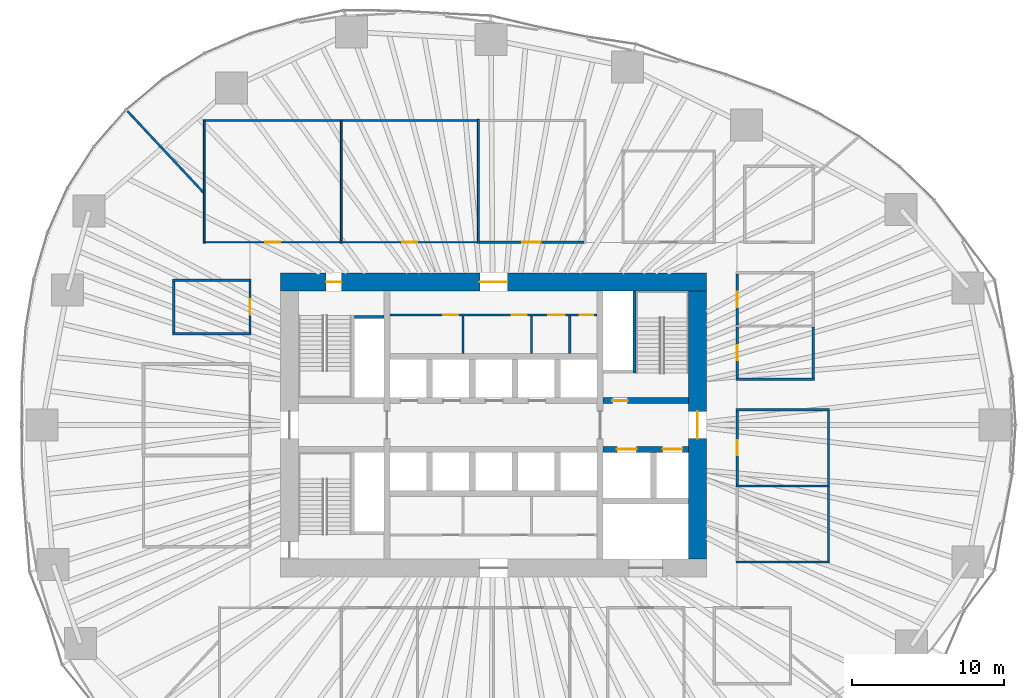
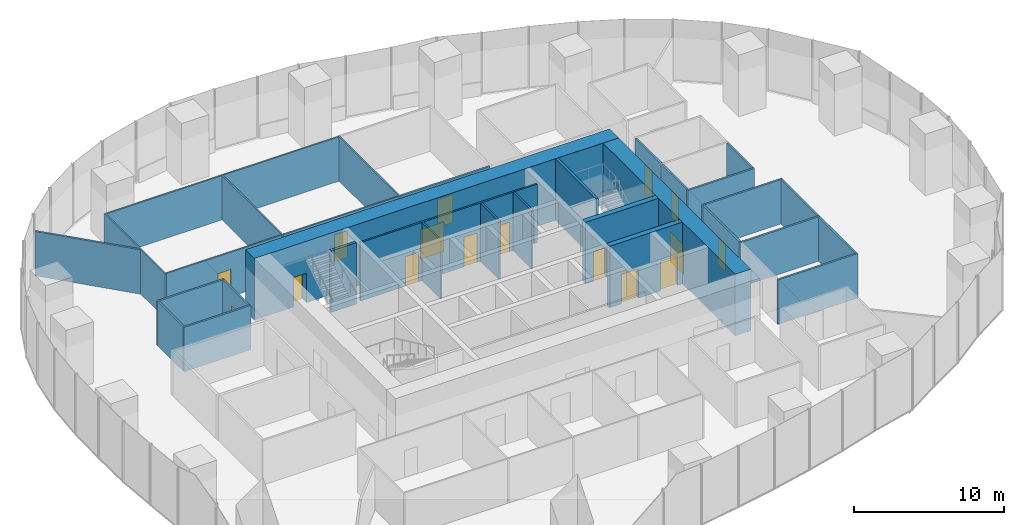
# One storey, part 11 of 20: 33 walls, 17 doors, 17 openings.
"""IFC4 building model written with IfcOpenShell, lengths in metres."""

import ifcopenshell
import ifcopenshell.guid

model = None  # the IFC model being written
_history = None  # IfcOwnerHistory: only IFC2X3 demands one
_inside = {}  # id of a spatial element -> (the spatial element, [elements in it])
_under = {}  # id of a project, library or spatial element -> (it, [spatial elements below it])
_declared = {}  # id of a project -> (the project, [libraries it declares])
_typed = {}  # id of a type object -> (the type object, [elements of that type])
_made_of = {}  # id of a material, layer set ... -> (it, [elements and type objects made of it])


def new_model(schema):
    """Start an empty IFC model of exactly this schema.

    Asked for "IFC4X3", IfcOpenShell would pick the latest addendum, in which some entities
    have other attributes; the version numbers below select the first issue.
    IFC2X3 requires an IfcOwnerHistory on every rooted entity: one is made here for all.
    """
    global model, _history
    if schema == "IFC4X3":
        model = ifcopenshell.file(schema_version=(4, 3, 0, 0))
    else:
        model = ifcopenshell.file(schema=schema)
    _inside.clear()
    _under.clear()
    _declared.clear()
    _typed.clear()
    _made_of.clear()
    _history = None
    if model.schema == "IFC2X3":
        org = make("IfcOrganization", Name="unknown")
        user = make(
            "IfcPersonAndOrganization",
            ThePerson=make("IfcPerson", FamilyName="unknown"),
            TheOrganization=org,
        )
        app = make(
            "IfcApplication",
            ApplicationDeveloper=org,
            Version="unknown",
            ApplicationFullName="unknown",
            ApplicationIdentifier="unknown",
        )
        _history = make(
            "IfcOwnerHistory",
            OwningUser=user,
            OwningApplication=app,
            ChangeAction="ADDED",
            CreationDate=0,
        )
    return model


def make(cls, **values):
    """One entity of the class cls with the attributes given. An attribute that is None is left unset."""
    return model.create_entity(
        cls, **{name: value for name, value in values.items() if value is not None}
    )


def rooted(cls, **values):
    """An entity with a GlobalId (a new one), such as an element, a storey or a relation."""
    return make(cls, GlobalId=ifcopenshell.guid.new(), OwnerHistory=_history, **values)


def si_unit(unit_type, name, prefix=None):
    """IfcSIUnit, for example si_unit("LENGTHUNIT", "METRE", prefix="MILLI")."""
    return make("IfcSIUnit", UnitType=unit_type, Prefix=prefix, Name=name)


def assignment(units):
    """IfcUnitAssignment: the units of a project."""
    return None if units is None else make("IfcUnitAssignment", Units=units)


def point(xyz):
    """IfcCartesianPoint."""
    return None if xyz is None else make("IfcCartesianPoint", Coordinates=xyz)


def direction(xyz):
    """IfcDirection."""
    return None if xyz is None else make("IfcDirection", DirectionRatios=xyz)


def frame(location, z_axis=None, x_axis=None):
    """IfcAxis2Placement3D, a coordinate frame: its origin and axes. An axis left out is left unset."""
    return make(
        "IfcAxis2Placement3D",
        Location=point(location),
        Axis=direction(z_axis),
        RefDirection=direction(x_axis),
    )


def frame_2d(location, x_axis=None):
    """IfcAxis2Placement2D, a coordinate frame in the plane: its origin and x axis."""
    return make(
        "IfcAxis2Placement2D", Location=point(location), RefDirection=direction(x_axis)
    )


def origin():
    """The frame at (0, 0, 0) with its axes left unset."""
    return frame((0.0, 0.0, 0.0))


def place(relative_to, where):
    """IfcLocalPlacement: puts the frame where relative to a parent placement (None: the world)."""
    return make(
        "IfcLocalPlacement", PlacementRelTo=relative_to, RelativePlacement=where
    )


def context(
    kind, dimensions, precision=None, world=None, true_north=None, identifier=None
):
    """IfcGeometricRepresentationContext, for example the 3D "Model" context."""
    return make(
        "IfcGeometricRepresentationContext",
        ContextIdentifier=identifier,
        ContextType=kind,
        CoordinateSpaceDimension=dimensions,
        Precision=precision,
        WorldCoordinateSystem=world,
        TrueNorth=true_north,
    )


def subcontext(parent, identifier, kind, view, scale=None):
    """IfcGeometricRepresentationSubContext, for example "Body" below "Model"."""
    return make(
        "IfcGeometricRepresentationSubContext",
        ContextIdentifier=identifier,
        ContextType=kind,
        ParentContext=parent,
        TargetScale=scale,
        TargetView=view,
    )


def project(units=None, contexts=None):
    """IfcProject with its units and contexts."""
    return rooted(
        "IfcProject",
        Name="project",
        RepresentationContexts=contexts,
        UnitsInContext=assignment(units),
    )


def spatial(cls, under=None, at=None, **own):
    """A site, building, storey or space (cls), placed at a placement, below another one or the project."""
    s = rooted(cls, ObjectPlacement=at, **own)
    if under is not None:
        _under.setdefault(under.id(), (under, []))[1].append(s)
    return s


def profile(cls, at=None, kind="AREA", **sizes):
    """A parametric profile (cls). Its sizes go by their IFC names, for example OverallWidth=200.0."""
    return make(cls, ProfileType=kind, Position=at, **sizes)


def rectangle(**sizes):
    """IfcRectangleProfileDef."""
    return profile("IfcRectangleProfileDef", **sizes)


def extrude(swept, where, along, depth):
    """IfcExtrudedAreaSolid: the profile swept, set in the frame where, extruded along a direction by depth."""
    return make(
        "IfcExtrudedAreaSolid",
        SweptArea=swept,
        Position=where,
        ExtrudedDirection=direction(along),
        Depth=depth,
    )


def shape(context_of_items, identifier, shape_type, items):
    """IfcShapeRepresentation: the items that make up one representation, for example the "Body"."""
    return make(
        "IfcShapeRepresentation",
        ContextOfItems=context_of_items,
        RepresentationIdentifier=identifier,
        RepresentationType=shape_type,
        Items=items,
    )


def material(Name=None, Category=None):
    """IfcMaterial."""
    return make("IfcMaterial", Name=Name, Category=Category)


def layer(
    of_material, thickness, ventilated=None, Name=None, Category=None, Priority=None
):
    """IfcMaterialLayer: one layer of a wall or slab, of a material (None: an air gap)."""
    return make(
        "IfcMaterialLayer",
        Material=of_material,
        LayerThickness=thickness,
        IsVentilated=ventilated,
        Name=Name,
        Category=Category,
        Priority=Priority,
    )


def layer_set(layers, Name=None):
    """IfcMaterialLayerSet."""
    return make("IfcMaterialLayerSet", MaterialLayers=layers, LayerSetName=Name)


def made_of(thing, what):
    """Note that an element or type object is made of a material, layer set ...; save() writes the relation."""
    if what is not None:
        _made_of.setdefault(what.id(), (what, []))[1].append(thing)
    return thing


def type_object(cls, material=None, **own):
    """A type object (cls), such as IfcWallType, which elements share."""
    return made_of(rooted(cls, **own), material)


def element(
    cls,
    number,
    at=None,
    inside=None,
    cuts=None,
    type_object=None,
    material=None,
    context=None,
    identifier="Body",
    shape_type=None,
    held_by="IfcProductDefinitionShape",
    body=None,
    shapes=None,
    **own,
):
    """One element of the class cls, such as IfcWall. Its Tag is "e" and its number.

    at: its placement. inside: the storey or other place that contains it. cuts: it is an
    opening in that element (IfcRelVoidsElement). A single representation is given by context,
    identifier, shape_type and body (its items); several are given by shapes. held_by: the class
    of the entity that holds the representations. save() writes the other relations.
    """
    e = rooted(cls, Tag="e%d" % number, ObjectPlacement=at, **own)
    if body is not None:
        shapes = [shape(context, identifier, shape_type, body)]
    if shapes is not None:
        e.Representation = make(held_by, Representations=shapes)
    if inside is not None:
        _inside.setdefault(inside.id(), (inside, []))[1].append(e)
    if cuts is not None:
        rooted(
            "IfcRelVoidsElement", RelatingBuildingElement=cuts, RelatedOpeningElement=e
        )
    if type_object is not None:
        _typed.setdefault(type_object.id(), (type_object, []))[1].append(e)
    return made_of(e, material)


def fill(opening, filler):
    """IfcRelFillsElement: the door or window that sits in an opening."""
    return rooted(
        "IfcRelFillsElement",
        RelatingOpeningElement=opening,
        RelatedBuildingElement=filler,
    )


def aggregate(whole, parts):
    """IfcRelAggregates: a whole, such as a stair, and the parts it consists of."""
    return rooted("IfcRelAggregates", RelatingObject=whole, RelatedObjects=parts)


def save(model, path):
    """Write the relations noted so far, then the file.

    IfcRelAggregates (storeys below a building ...), IfcRelContainedInSpatialStructure (elements
    in a storey), IfcRelDefinesByType, IfcRelAssociatesMaterial and IfcRelDeclares: one each for
    every whole, place, type object, material and project.
    """
    for whole, parts in _under.values():
        aggregate(whole, parts)
    for where, things in _inside.values():
        rooted(
            "IfcRelContainedInSpatialStructure",
            RelatedElements=things,
            RelatingStructure=where,
        )
    for kind, things in _typed.values():
        rooted("IfcRelDefinesByType", RelatedObjects=things, RelatingType=kind)
    for what, things in _made_of.values():
        rooted("IfcRelAssociatesMaterial", RelatedObjects=things, RelatingMaterial=what)
    for by, libraries in _declared.values():
        rooted("IfcRelDeclares", RelatingContext=by, RelatedDefinitions=libraries)
    model.write(path)


model = new_model("IFC4")

# Units and contexts
model_context = context("Model", 3, precision=1e-05, world=origin(), true_north=direction((0.0, 1.0)))
body_context = subcontext(model_context, "Body", "Model", "MODEL_VIEW")
ifc_project = project(units=[si_unit("LENGTHUNIT", "METRE"), si_unit("AREAUNIT", "SQUARE_METRE"), si_unit("VOLUMEUNIT", "CUBIC_METRE"), si_unit("PLANEANGLEUNIT", "RADIAN"), si_unit("MASSUNIT", "GRAM", prefix="KILO")], contexts=[model_context])

# Site, building, storey
site_placement = place(None, origin())
site = spatial("IfcSite", under=ifc_project, at=site_placement, CompositionType="ELEMENT")
building_placement = place(site_placement, origin())
building = spatial("IfcBuilding", under=site, at=building_placement, Name="Ghaith Harvest Tower", CompositionType="ELEMENT")
storey_placement = place(building_placement, frame((0.0, 0.0, 20.0)))
storey = spatial("IfcBuildingStorey", under=building, at=storey_placement, Name="L04", CompositionType="ELEMENT", Elevation=20.0)

# Wall, openings, doors
ifc_material_1 = material(Name="Concrete blockwork, fair-faced", Category="masonry")
ifc_layer_1 = layer(ifc_material_1, 0.139892578125)
ifc_layer_set_1 = layer_set([ifc_layer_1], Name="CORE PARTITION 140")
wall_type_1 = type_object("IfcWallType", Name="CORE PARTITION 140", PredefinedType="PARTITIONING", material=ifc_layer_set_1)
wall_1_placement = place(storey_placement, frame((-6.800048828125, 7.22998046875, 0.0), z_axis=(0.0, 0.0, 1.0), x_axis=(1.0, 0.0, 0.0)))
wall_1 = element("IfcWall", 1, at=wall_1_placement, inside=storey, type_object=wall_type_1, Name="Core partition L04", PredefinedType="PARTITIONING", context=body_context, shape_type="SweptSolid", body=[
    extrude(rectangle(XDim=13.60009765625, YDim=0.139892578125, at=frame_2d((6.800048828125, 0.0))), origin(), (0.0, 0.0, 1.0), 4.75),
])
opening_1_placement = place(wall_1_placement, frame((3.47998046875, 0.0, 0.0)))
opening_1 = element("IfcOpeningElement", 2, at=opening_1_placement, cuts=wall_1, Name="Opening 04-008", PredefinedType="OPENING", context=body_context, shape_type="SweptSolid", body=[
    extrude(rectangle(XDim=1.0, YDim=2.39990234375, at=frame_2d((0.5, 1.199951171875))), frame((0.0, 0.080078125, 0.0), z_axis=(0.0, -1.0, 0.0), x_axis=(1.0, 0.0, 0.0)), (0.0, 0.0, 1.0), 0.159912109375),
])
opening_2_placement = place(wall_1_placement, frame((7.97998046875, 0.0, 0.0)))
opening_2 = element("IfcOpeningElement", 3, at=opening_2_placement, cuts=wall_1, Name="Opening 04-009", PredefinedType="OPENING", context=body_context, shape_type="SweptSolid", body=[
    extrude(rectangle(XDim=1.0, YDim=2.39990234375, at=frame_2d((0.5, 1.199951171875))), frame((0.0, 0.080078125, 0.0), z_axis=(0.0, -1.0, 0.0), x_axis=(1.0, 0.0, 0.0)), (0.0, 0.0, 1.0), 0.159912109375),
])
opening_3_placement = place(wall_1_placement, frame((10.3798828125, 0.0, 0.0)))
opening_3 = element("IfcOpeningElement", 4, at=opening_3_placement, cuts=wall_1, Name="Opening 04-010", PredefinedType="OPENING", context=body_context, shape_type="SweptSolid", body=[
    extrude(rectangle(XDim=1.10009765625, YDim=2.39990234375, at=frame_2d((0.550048828125, 1.199951171875))), frame((0.0, 0.080078125, 0.0), z_axis=(0.0, -1.0, 0.0), x_axis=(1.0, 0.0, 0.0)), (0.0, 0.0, 1.0), 0.159912109375),
])
opening_4_placement = place(wall_1_placement, frame((12.449951171875, 0.0, 0.0)))
opening_4 = element("IfcOpeningElement", 5, at=opening_4_placement, cuts=wall_1, Name="Opening 04-011", PredefinedType="OPENING", context=body_context, shape_type="SweptSolid", body=[
    extrude(rectangle(XDim=0.89990234375, YDim=2.39990234375, at=frame_2d((0.449951171875, 1.199951171875))), frame((0.0, 0.080078125, 0.0), z_axis=(0.0, -1.0, 0.0), x_axis=(1.0, 0.0, 0.0)), (0.0, 0.0, 1.0), 0.159912109375),
])
ifc_material_2 = material(Name="Steel fire door", Category="steel")
door_type_1 = type_object("IfcDoorType", Name="D3 FD90 1000x2400", OperationType="SINGLE_SWING_LEFT", PredefinedType="DOOR", material=ifc_material_2)
door_1_placement = place(opening_1_placement, origin())
door_1 = element("IfcDoor", 6, at=door_1_placement, inside=storey, type_object=door_type_1, Name="Male WC door", OperationType="SINGLE_SWING_LEFT", OverallHeight=2.39990234375, OverallWidth=1.0, PredefinedType="DOOR", context=body_context, shape_type="SweptSolid", body=[
    extrude(rectangle(XDim=1.0, YDim=2.39990234375, at=frame_2d((0.5, 1.199951171875))), frame((0.0, 0.02490234375, 0.0), z_axis=(0.0, -1.0, 0.0), x_axis=(1.0, 0.0, 0.0)), (0.0, 0.0, 1.0), 0.050048828125),
])
fill(opening_1, door_1)
door_2_placement = place(opening_2_placement, origin())
door_2 = element("IfcDoor", 7, at=door_2_placement, inside=storey, type_object=door_type_1, Name="Female WC door", OperationType="SINGLE_SWING_RIGHT", OverallHeight=2.39990234375, OverallWidth=1.0, PredefinedType="DOOR", context=body_context, shape_type="SweptSolid", body=[
    extrude(rectangle(XDim=1.0, YDim=2.39990234375, at=frame_2d((0.5, 1.199951171875))), frame((0.0, 0.02490234375, 0.0), z_axis=(0.0, -1.0, 0.0), x_axis=(1.0, 0.0, 0.0)), (0.0, 0.0, 1.0), 0.050048828125),
])
fill(opening_2, door_2)
ifc_material_3 = material(Name="Steel fire door", Category="steel")
door_type_2 = type_object("IfcDoorType", Name="D5 FD90 900x2400", OperationType="SINGLE_SWING_LEFT", PredefinedType="DOOR", material=ifc_material_3)
door_3_placement = place(opening_4_placement, origin())
door_3 = element("IfcDoor", 8, at=door_3_placement, inside=storey, type_object=door_type_2, Name="Cleaner's store door", OperationType="SINGLE_SWING_RIGHT", OverallHeight=2.39990234375, OverallWidth=0.89990234375, PredefinedType="DOOR", context=body_context, shape_type="SweptSolid", body=[
    extrude(rectangle(XDim=0.89990234375, YDim=2.39990234375, at=frame_2d((0.449951171875, 1.199951171875))), frame((0.0, 0.02490234375, 0.0), z_axis=(0.0, -1.0, 0.0), x_axis=(1.0, 0.0, 0.0)), (0.0, 0.0, 1.0), 0.050048828125),
])
fill(opening_4, door_3)
ifc_material_4 = material(Name="Steel fire door", Category="steel")
door_type_3 = type_object("IfcDoorType", Name="D9 FD90 1100x2400", OperationType="SINGLE_SWING_LEFT", PredefinedType="DOOR", material=ifc_material_4)
door_4_placement = place(opening_3_placement, origin())
door_4 = element("IfcDoor", 9, at=door_4_placement, inside=storey, type_object=door_type_3, Name="Accessible WC door", OperationType="SINGLE_SWING_RIGHT", OverallHeight=2.39990234375, OverallWidth=1.10009765625, PredefinedType="DOOR", context=body_context, shape_type="SweptSolid", body=[
    extrude(rectangle(XDim=1.10009765625, YDim=2.39990234375, at=frame_2d((0.550048828125, 1.199951171875))), frame((0.0, 0.02490234375, 0.0), z_axis=(0.0, -1.0, 0.0), x_axis=(1.0, 0.0, 0.0)), (0.0, 0.0, 1.0), 0.050048828125),
])
fill(opening_3, door_4)

# Walls
for number, where, z_axis, x_axis, name in (
    (10, (-2.0, 4.699951171875, 0.0), (0.0, 0.0, 1.0), (0.0, 1.0, 0.0), "Core partition L04"),
    (11, (2.5, 4.699951171875, 0.0), (0.0, 0.0, 1.0), (0.0, 1.0, 0.0), "Core partition L04"),
    (12, (5.0, 4.699951171875, 0.0), (0.0, 0.0, 1.0), (0.0, 1.0, 0.0), "Core partition L04"),
):
    element("IfcWall", number, at=place(storey_placement, frame(where, z_axis=z_axis, x_axis=x_axis)), inside=storey, type_object=wall_type_1, Name=name, PredefinedType="PARTITIONING", context=body_context, shape_type="SweptSolid", body=[
        extrude(rectangle(XDim=2.4599609375, YDim=0.139892578125, at=frame_2d((1.22998046875, 0.0))), origin(), (0.0, 0.0, 1.0), 4.75),
    ])

# Wall, openings, doors
ifc_material_5 = material(Name="Concrete C70/85", Category="concrete")
ifc_layer_2 = layer(ifc_material_5, 1.199951171875)
ifc_layer_set_2 = layer_set([ifc_layer_2], Name="CORE WALL CW1200")
wall_type_2 = type_object("IfcWallType", Name="CORE WALL CW1200", PredefinedType="SHEAR", material=ifc_layer_set_2)
wall_2_placement = place(storey_placement, frame((14.0, 9.39990234375, 0.0), z_axis=(0.0, 0.0, 1.0), x_axis=(-1.0, 0.0, 0.0)))
wall_2 = element("IfcWall", 13, at=wall_2_placement, inside=storey, type_object=wall_type_2, Name="Core wall N L04", PredefinedType="SHEAR", context=body_context, shape_type="SweptSolid", body=[
    extrude(rectangle(XDim=28.0, YDim=1.199951171875, at=frame_2d((14.0, 0.0))), origin(), (0.0, 0.0, 1.0), 5.0),
])
opening_5_placement = place(wall_2_placement, frame((24.0, 0.0, 0.0)))
opening_5 = element("IfcOpeningElement", 14, at=opening_5_placement, cuts=wall_2, Name="Opening 04-005", PredefinedType="OPENING", context=body_context, shape_type="SweptSolid", body=[
    extrude(rectangle(XDim=1.0, YDim=2.39990234375, at=frame_2d((0.5, 1.199951171875))), frame((0.0, 0.60986328125, 0.0), z_axis=(0.0, -1.0, 0.0), x_axis=(1.0, 0.0, 0.0)), (0.0, 0.0, 1.0), 1.219970703125),
])
opening_6_placement = place(wall_2_placement, frame((13.10009765625, 0.0, 0.0)))
opening_6 = element("IfcOpeningElement", 15, at=opening_6_placement, cuts=wall_2, Name="Opening 04-015", PredefinedType="OPENING", context=body_context, shape_type="SweptSolid", body=[
    extrude(rectangle(XDim=1.800048828125, YDim=2.39990234375, at=frame_2d((0.89990234375, 1.199951171875))), frame((0.0, 0.60986328125, 0.0), z_axis=(0.0, -1.0, 0.0), x_axis=(1.0, 0.0, 0.0)), (0.0, 0.0, 1.0), 1.219970703125),
])
door_5_placement = place(opening_5_placement, origin())
door_5 = element("IfcDoor", 16, at=door_5_placement, inside=storey, type_object=door_type_1, Name="Stair ST1 door", OperationType="SINGLE_SWING_RIGHT", OverallHeight=2.39990234375, OverallWidth=1.0, PredefinedType="DOOR", context=body_context, shape_type="SweptSolid", body=[
    extrude(rectangle(XDim=1.0, YDim=2.39990234375, at=frame_2d((0.5, 1.199951171875))), frame((0.0, 0.02490234375, 0.0), z_axis=(0.0, -1.0, 0.0), x_axis=(1.0, 0.0, 0.0)), (0.0, 0.0, 1.0), 0.050048828125),
])
fill(opening_5, door_5)
ifc_material_6 = material(Name="Steel fire door", Category="steel")
door_type_4 = type_object("IfcDoorType", Name="D4 FD90 PAIR 1800x2400", OperationType="DOUBLE_DOOR_SINGLE_SWING", PredefinedType="DOOR", material=ifc_material_6)
door_6_placement = place(opening_6_placement, origin())
door_6 = element("IfcDoor", 17, at=door_6_placement, inside=storey, type_object=door_type_4, Name="Core service corridor doors", OperationType="DOUBLE_DOOR_SINGLE_SWING", OverallHeight=2.39990234375, OverallWidth=1.800048828125, PredefinedType="DOOR", context=body_context, shape_type="SweptSolid", body=[
    extrude(rectangle(XDim=1.800048828125, YDim=2.39990234375, at=frame_2d((0.89990234375, 1.199951171875))), frame((0.0, 0.02490234375, 0.0), z_axis=(0.0, -1.0, 0.0), x_axis=(1.0, 0.0, 0.0)), (0.0, 0.0, 1.0), 0.050048828125),
])
fill(opening_6, door_6)

# Wall, opening, door
wall_3_placement = place(storey_placement, frame((13.39990234375, -8.800048828125, 0.0), z_axis=(0.0, 0.0, 1.0), x_axis=(0.0, 1.0, 0.0)))
wall_3 = element("IfcWall", 18, at=wall_3_placement, inside=storey, type_object=wall_type_2, Name="Core wall E L04", PredefinedType="SHEAR", context=body_context, shape_type="SweptSolid", body=[
    extrude(rectangle(XDim=17.60009765625, YDim=1.199951171875, at=frame_2d((8.800048828125, 0.0))), origin(), (0.0, 0.0, 1.0), 5.0),
])
opening_7_placement = place(wall_3_placement, frame((7.89990234375, 0.0, 0.0)))
opening_7 = element("IfcOpeningElement", 19, at=opening_7_placement, cuts=wall_3, Name="Opening 04-002", PredefinedType="OPENING", context=body_context, shape_type="SweptSolid", body=[
    extrude(rectangle(XDim=1.800048828125, YDim=2.39990234375, at=frame_2d((0.89990234375, 1.199951171875))), frame((0.0, 0.60986328125, 0.0), z_axis=(0.0, -1.0, 0.0), x_axis=(1.0, 0.0, 0.0)), (0.0, 0.0, 1.0), 1.219970703125),
])
door_7_placement = place(opening_7_placement, origin())
door_7 = element("IfcDoor", 20, at=door_7_placement, inside=storey, type_object=door_type_4, Name="Fire-fighting lobby doors", OperationType="DOUBLE_DOOR_SINGLE_SWING", OverallHeight=2.39990234375, OverallWidth=1.800048828125, PredefinedType="DOOR", context=body_context, shape_type="SweptSolid", body=[
    extrude(rectangle(XDim=1.800048828125, YDim=2.39990234375, at=frame_2d((0.89990234375, 1.199951171875))), frame((0.0, 0.02490234375, 0.0), z_axis=(0.0, -1.0, 0.0), x_axis=(1.0, 0.0, 0.0)), (0.0, 0.0, 1.0), 0.050048828125),
])
fill(opening_7, door_7)

# Walls
ifc_material_7 = material(Name="Insulated food-grade panel", Category="steel")
ifc_layer_3 = layer(ifc_material_7, 0.1201171875)
ifc_layer_set_3 = layer_set([ifc_layer_3], Name="INSULATED PANEL WALL 120")
wall_type_3 = type_object("IfcWallType", Name="INSULATED PANEL WALL 120", PredefinedType="PARTITIONING", material=ifc_layer_set_3)
for number, where, z_axis, x_axis, name in (
    (21, (-19.0, 11.93994140625, 0.0), (0.0, 0.0, 1.0), (0.0, 1.0, 0.0), "Partition L04 row N1 cross wall 1"),
    (22, (-10.0, 11.93994140625, 0.0), (0.0, 0.0, 1.0), (0.0, 1.0, 0.0), "Partition L04 row N1 cross wall 2"),
):
    element("IfcWall", number, at=place(storey_placement, frame(where, z_axis=z_axis, x_axis=x_axis)), inside=storey, type_object=wall_type_3, Name=name, PredefinedType="PARTITIONING", context=body_context, shape_type="SweptSolid", body=[
        extrude(rectangle(XDim=8.1201171875, YDim=0.1201171875, at=frame_2d((4.06005859375, 0.0))), origin(), (0.0, 0.0, 1.0), 3.60009765625),
    ])
wall_4_placement = place(storey_placement, frame((-1.0, 11.925048828125, 0.0), z_axis=(0.0, 0.0, 1.0), x_axis=(0.0, 1.0, 0.0)))
element("IfcWall", 23, at=wall_4_placement, inside=storey, type_object=wall_type_3, Name="Partition L04 row N1 cross wall 3", PredefinedType="PARTITIONING", context=body_context, shape_type="SweptSolid", body=[
    extrude(rectangle(XDim=8.14990234375, YDim=0.1201171875, at=frame_2d((4.074951171875, 0.0))), origin(), (0.0, 0.0, 1.0), 3.60009765625),
])

# Wall, opening, door
wall_5_placement = place(storey_placement, frame((-18.93994140625, 12.0, 0.0), z_axis=(0.0, 0.0, 1.0), x_axis=(1.0, 0.0, 0.0)))
wall_5 = element("IfcWall", 24, at=wall_5_placement, inside=storey, type_object=wall_type_3, Name="Partition L04-01", PredefinedType="PARTITIONING", context=body_context, shape_type="SweptSolid", body=[
    extrude(rectangle(XDim=8.8798828125, YDim=0.1201171875, at=frame_2d((4.43994140625, 0.0))), origin(), (0.0, 0.0, 1.0), 3.60009765625),
])
opening_8_placement = place(wall_5_placement, frame((3.93994140625, 0.0, 0.0)))
opening_8 = element("IfcOpeningElement", 25, at=opening_8_placement, cuts=wall_5, Name="Opening 04-024", PredefinedType="OPENING", context=body_context, shape_type="SweptSolid", body=[
    extrude(rectangle(XDim=1.0, YDim=2.199951171875, at=frame_2d((0.5, 1.10009765625))), frame((0.0, 0.070068359375, 0.0), z_axis=(0.0, -1.0, 0.0), x_axis=(1.0, 0.0, 0.0)), (0.0, 0.0, 1.0), 0.14013671875),
])
ifc_material_8 = material(Name="Timber door", Category="wood")
door_type_5 = type_object("IfcDoorType", Name="D1 SINGLE 1000x2200", OperationType="SINGLE_SWING_LEFT", PredefinedType="DOOR", material=ifc_material_8)
door_8_placement = place(opening_8_placement, origin())
door_8 = element("IfcDoor", 26, at=door_8_placement, inside=storey, type_object=door_type_5, Name="Propagation room door", OperationType="SINGLE_SWING_LEFT", OverallHeight=2.199951171875, OverallWidth=1.0, PredefinedType="DOOR", context=body_context, shape_type="SweptSolid", body=[
    extrude(rectangle(XDim=1.0, YDim=2.199951171875, at=frame_2d((0.5, 1.10009765625))), frame((0.0, 0.02490234375, 0.0), z_axis=(0.0, -1.0, 0.0), x_axis=(1.0, 0.0, 0.0)), (0.0, 0.0, 1.0), 0.050048828125),
])
fill(opening_8, door_8)

# Wall
wall_6_placement = place(storey_placement, frame((-18.93994140625, 20.0, 0.0), z_axis=(0.0, 0.0, 1.0), x_axis=(1.0, 0.0, 0.0)))
element("IfcWall", 27, at=wall_6_placement, inside=storey, type_object=wall_type_3, Name="Partition L04-01", PredefinedType="PARTITIONING", context=body_context, shape_type="SweptSolid", body=[
    extrude(rectangle(XDim=8.8798828125, YDim=0.1201171875, at=frame_2d((4.43994140625, 0.0))), origin(), (0.0, 0.0, 1.0), 3.60009765625),
])

# Wall, opening, door
wall_7_placement = place(storey_placement, frame((-9.93994140625, 12.0, 0.0), z_axis=(0.0, 0.0, 1.0), x_axis=(1.0, 0.0, 0.0)))
wall_7 = element("IfcWall", 28, at=wall_7_placement, inside=storey, type_object=wall_type_3, Name="Partition L04-02", PredefinedType="PARTITIONING", context=body_context, shape_type="SweptSolid", body=[
    extrude(rectangle(XDim=8.8798828125, YDim=0.1201171875, at=frame_2d((4.43994140625, 0.0))), origin(), (0.0, 0.0, 1.0), 3.60009765625),
])
opening_9_placement = place(wall_7_placement, frame((3.93994140625, 0.0, 0.0)))
opening_9 = element("IfcOpeningElement", 29, at=opening_9_placement, cuts=wall_7, Name="Opening 04-025", PredefinedType="OPENING", context=body_context, shape_type="SweptSolid", body=[
    extrude(rectangle(XDim=1.0, YDim=2.199951171875, at=frame_2d((0.5, 1.10009765625))), frame((0.0, 0.070068359375, 0.0), z_axis=(0.0, -1.0, 0.0), x_axis=(1.0, 0.0, 0.0)), (0.0, 0.0, 1.0), 0.14013671875),
])
door_9_placement = place(opening_9_placement, origin())
door_9 = element("IfcDoor", 30, at=door_9_placement, inside=storey, type_object=door_type_5, Name="Propagation room door", OperationType="SINGLE_SWING_LEFT", OverallHeight=2.199951171875, OverallWidth=1.0, PredefinedType="DOOR", context=body_context, shape_type="SweptSolid", body=[
    extrude(rectangle(XDim=1.0, YDim=2.199951171875, at=frame_2d((0.5, 1.10009765625))), frame((0.0, 0.02490234375, 0.0), z_axis=(0.0, -1.0, 0.0), x_axis=(1.0, 0.0, 0.0)), (0.0, 0.0, 1.0), 0.050048828125),
])
fill(opening_9, door_9)

# Wall
wall_8_placement = place(storey_placement, frame((-9.93994140625, 20.0, 0.0), z_axis=(0.0, 0.0, 1.0), x_axis=(1.0, 0.0, 0.0)))
element("IfcWall", 31, at=wall_8_placement, inside=storey, type_object=wall_type_3, Name="Partition L04-02", PredefinedType="PARTITIONING", context=body_context, shape_type="SweptSolid", body=[
    extrude(rectangle(XDim=8.8798828125, YDim=0.1201171875, at=frame_2d((4.43994140625, 0.0))), origin(), (0.0, 0.0, 1.0), 3.60009765625),
])

# Wall, opening, door
ifc_material_9 = material(Name="Gypsum board on steel studs", Category="steel")
ifc_layer_4 = layer(ifc_material_9, 0.14990234375)
ifc_layer_set_4 = layer_set([ifc_layer_4], Name="PARTITION 150")
wall_type_4 = type_object("IfcWallType", Name="PARTITION 150", PredefinedType="PARTITIONING", material=ifc_layer_set_4)
wall_9_placement = place(storey_placement, frame((-0.93994140625, 12.0, 0.0), z_axis=(0.0, 0.0, 1.0), x_axis=(1.0, 0.0, 0.0)))
wall_9 = element("IfcWall", 32, at=wall_9_placement, inside=storey, type_object=wall_type_4, Name="Partition L04-03", PredefinedType="PARTITIONING", context=body_context, shape_type="SweptSolid", body=[
    extrude(rectangle(XDim=6.864990234375, YDim=0.14990234375, at=frame_2d((3.4326171875, 0.0))), origin(), (0.0, 0.0, 1.0), 3.60009765625),
])
opening_10_placement = place(wall_9_placement, frame((2.83251953125, 0.0, 0.0)))
opening_10 = element("IfcOpeningElement", 33, at=opening_10_placement, cuts=wall_9, Name="Opening 04-026", PredefinedType="OPENING", context=body_context, shape_type="SweptSolid", body=[
    extrude(rectangle(XDim=1.199951171875, YDim=2.300048828125, at=frame_2d((0.60009765625, 1.14990234375))), frame((0.0, 0.0849609375, 0.0), z_axis=(0.0, -1.0, 0.0), x_axis=(1.0, 0.0, 0.0)), (0.0, 0.0, 1.0), 0.169921875),
])
ifc_material_10 = material(Name="Timber door with vision panel", Category="wood")
door_type_6 = type_object("IfcDoorType", Name="D15 LABORATORY 1200x2300", OperationType="SINGLE_SWING_LEFT", PredefinedType="DOOR", material=ifc_material_10)
door_10_placement = place(opening_10_placement, origin())
door_10 = element("IfcDoor", 34, at=door_10_placement, inside=storey, type_object=door_type_6, Name="Quality laboratory door", OperationType="SINGLE_SWING_LEFT", OverallHeight=2.300048828125, OverallWidth=1.199951171875, PredefinedType="DOOR", context=body_context, shape_type="SweptSolid", body=[
    extrude(rectangle(XDim=1.199951171875, YDim=2.300048828125, at=frame_2d((0.60009765625, 1.14990234375))), frame((0.0, 0.02490234375, 0.0), z_axis=(0.0, -1.0, 0.0), x_axis=(1.0, 0.0, 0.0)), (0.0, 0.0, 1.0), 0.050048828125),
])
fill(opening_10, door_10)

# Walls
for number, where, z_axis, x_axis, name in (
    (35, (15.925048828125, -9.0, 0.0), (0.0, 0.0, 1.0), (1.0, 0.0, 0.0), "Partition L04 row E5 cross wall 1"),
    (36, (15.925048828125, -4.0, 0.0), (0.0, 0.0, 1.0), (1.0, 0.0, 0.0), "Partition L04 row E5 cross wall 2"),
    (37, (15.925048828125, 1.0, 0.0), (0.0, 0.0, 1.0), (1.0, 0.0, 0.0), "Partition L04 row E5 cross wall 3"),
):
    element("IfcWall", number, at=place(storey_placement, frame(where, z_axis=z_axis, x_axis=x_axis)), inside=storey, type_object=wall_type_4, Name=name, PredefinedType="PARTITIONING", context=body_context, shape_type="SweptSolid", body=[
        extrude(rectangle(XDim=6.14990234375, YDim=0.14990234375, at=frame_2d((3.074951171875, 0.0))), origin(), (0.0, 0.0, 1.0), 3.60009765625),
    ])
wall_10_placement = place(storey_placement, frame((22.0, -8.925048828125, 0.0), z_axis=(0.0, 0.0, 1.0), x_axis=(0.0, 1.0, 0.0)))
element("IfcWall", 38, at=wall_10_placement, inside=storey, type_object=wall_type_4, Name="Partition L04-10", PredefinedType="PARTITIONING", context=body_context, shape_type="SweptSolid", body=[
    extrude(rectangle(XDim=4.85009765625, YDim=0.14990234375, at=frame_2d((2.425048828125, 0.0))), origin(), (0.0, 0.0, 1.0), 3.60009765625),
])

# Wall, opening, door
wall_11_placement = place(storey_placement, frame((16.0, -3.925048828125, 0.0), z_axis=(0.0, 0.0, 1.0), x_axis=(0.0, 1.0, 0.0)))
wall_11 = element("IfcWall", 39, at=wall_11_placement, inside=storey, type_object=wall_type_4, Name="Partition L04-11", PredefinedType="PARTITIONING", context=body_context, shape_type="SweptSolid", body=[
    extrude(rectangle(XDim=4.85009765625, YDim=0.14990234375, at=frame_2d((2.425048828125, 0.0))), origin(), (0.0, 0.0, 1.0), 3.60009765625),
])
opening_11_placement = place(wall_11_placement, frame((1.925048828125, 0.0, 0.0)))
opening_11 = element("IfcOpeningElement", 40, at=opening_11_placement, cuts=wall_11, Name="Opening 04-034", PredefinedType="OPENING", context=body_context, shape_type="SweptSolid", body=[
    extrude(rectangle(XDim=1.0, YDim=2.199951171875, at=frame_2d((0.5, 1.10009765625))), frame((0.0, 0.0849609375, 0.0), z_axis=(0.0, -1.0, 0.0), x_axis=(1.0, 0.0, 0.0)), (0.0, 0.0, 1.0), 0.169921875),
])
door_11_placement = place(opening_11_placement, origin())
door_11 = element("IfcDoor", 41, at=door_11_placement, inside=storey, type_object=door_type_5, Name="Female staff changing room door", OperationType="SINGLE_SWING_LEFT", OverallHeight=2.199951171875, OverallWidth=1.0, PredefinedType="DOOR", context=body_context, shape_type="SweptSolid", body=[
    extrude(rectangle(XDim=1.0, YDim=2.199951171875, at=frame_2d((0.5, 1.10009765625))), frame((0.0, 0.02490234375, 0.0), z_axis=(0.0, -1.0, 0.0), x_axis=(1.0, 0.0, 0.0)), (0.0, 0.0, 1.0), 0.050048828125),
])
fill(opening_11, door_11)

# Walls
wall_12_placement = place(storey_placement, frame((22.0, -3.925048828125, 0.0), z_axis=(0.0, 0.0, 1.0), x_axis=(0.0, 1.0, 0.0)))
element("IfcWall", 42, at=wall_12_placement, inside=storey, type_object=wall_type_4, Name="Partition L04-11", PredefinedType="PARTITIONING", context=body_context, shape_type="SweptSolid", body=[
    extrude(rectangle(XDim=4.85009765625, YDim=0.14990234375, at=frame_2d((2.425048828125, 0.0))), origin(), (0.0, 0.0, 1.0), 3.60009765625),
])
wall_13_placement = place(storey_placement, frame((15.925048828125, 3.0, 0.0), z_axis=(0.0, 0.0, 1.0), x_axis=(1.0, 0.0, 0.0)))
element("IfcWall", 43, at=wall_13_placement, inside=storey, type_object=wall_type_4, Name="Partition L04 row E9 cross wall 1", PredefinedType="PARTITIONING", context=body_context, shape_type="SweptSolid", body=[
    extrude(rectangle(XDim=5.14990234375, YDim=0.14990234375, at=frame_2d((2.574951171875, 0.0))), origin(), (0.0, 0.0, 1.0), 3.60009765625),
])

# Wall, opening, door
wall_14_placement = place(storey_placement, frame((16.0, 3.074951171875, 0.0), z_axis=(0.0, 0.0, 1.0), x_axis=(0.0, 1.0, 0.0)))
wall_14 = element("IfcWall", 44, at=wall_14_placement, inside=storey, type_object=wall_type_4, Name="Partition L04-16", PredefinedType="PARTITIONING", context=body_context, shape_type="SweptSolid", body=[
    extrude(rectangle(XDim=3.35009765625, YDim=0.14990234375, at=frame_2d((1.675048828125, 0.0))), origin(), (0.0, 0.0, 1.0), 3.60009765625),
])
opening_12_placement = place(wall_14_placement, frame((1.175048828125, 0.0, 0.0)))
opening_12 = element("IfcOpeningElement", 45, at=opening_12_placement, cuts=wall_14, Name="Opening 04-039", PredefinedType="OPENING", context=body_context, shape_type="SweptSolid", body=[
    extrude(rectangle(XDim=1.0, YDim=2.199951171875, at=frame_2d((0.5, 1.10009765625))), frame((0.0, 0.0849609375, 0.0), z_axis=(0.0, -1.0, 0.0), x_axis=(1.0, 0.0, 0.0)), (0.0, 0.0, 1.0), 0.169921875),
])
door_12_placement = place(opening_12_placement, origin())
door_12 = element("IfcDoor", 46, at=door_12_placement, inside=storey, type_object=door_type_5, Name="First aid room door", OperationType="SINGLE_SWING_LEFT", OverallHeight=2.199951171875, OverallWidth=1.0, PredefinedType="DOOR", context=body_context, shape_type="SweptSolid", body=[
    extrude(rectangle(XDim=1.0, YDim=2.199951171875, at=frame_2d((0.5, 1.10009765625))), frame((0.0, 0.02490234375, 0.0), z_axis=(0.0, -1.0, 0.0), x_axis=(1.0, 0.0, 0.0)), (0.0, 0.0, 1.0), 0.050048828125),
])
fill(opening_12, door_12)

# Wall
wall_15_placement = place(storey_placement, frame((21.0, 3.074951171875, 0.0), z_axis=(0.0, 0.0, 1.0), x_axis=(0.0, 1.0, 0.0)))
element("IfcWall", 47, at=wall_15_placement, inside=storey, type_object=wall_type_4, Name="Partition L04-16", PredefinedType="PARTITIONING", context=body_context, shape_type="SweptSolid", body=[
    extrude(rectangle(XDim=3.35009765625, YDim=0.14990234375, at=frame_2d((1.675048828125, 0.0))), origin(), (0.0, 0.0, 1.0), 3.60009765625),
])

# Wall, opening, door
wall_16_placement = place(storey_placement, frame((16.0, 6.574951171875, 0.0), z_axis=(0.0, 0.0, 1.0), x_axis=(0.0, 1.0, 0.0)))
wall_16 = element("IfcWall", 48, at=wall_16_placement, inside=storey, type_object=wall_type_4, Name="Partition L04-17", PredefinedType="PARTITIONING", context=body_context, shape_type="SweptSolid", body=[
    extrude(rectangle(XDim=3.35009765625, YDim=0.14990234375, at=frame_2d((1.675048828125, 0.0))), origin(), (0.0, 0.0, 1.0), 3.60009765625),
])
opening_13_placement = place(wall_16_placement, frame((1.175048828125, 0.0, 0.0)))
opening_13 = element("IfcOpeningElement", 49, at=opening_13_placement, cuts=wall_16, Name="Opening 04-040", PredefinedType="OPENING", context=body_context, shape_type="SweptSolid", body=[
    extrude(rectangle(XDim=1.0, YDim=2.199951171875, at=frame_2d((0.5, 1.10009765625))), frame((0.0, 0.0849609375, 0.0), z_axis=(0.0, -1.0, 0.0), x_axis=(1.0, 0.0, 0.0)), (0.0, 0.0, 1.0), 0.169921875),
])
door_13_placement = place(opening_13_placement, origin())
door_13 = element("IfcDoor", 50, at=door_13_placement, inside=storey, type_object=door_type_5, Name="Locker room door", OperationType="SINGLE_SWING_LEFT", OverallHeight=2.199951171875, OverallWidth=1.0, PredefinedType="DOOR", context=body_context, shape_type="SweptSolid", body=[
    extrude(rectangle(XDim=1.0, YDim=2.199951171875, at=frame_2d((0.5, 1.10009765625))), frame((0.0, 0.02490234375, 0.0), z_axis=(0.0, -1.0, 0.0), x_axis=(1.0, 0.0, 0.0)), (0.0, 0.0, 1.0), 0.050048828125),
])
fill(opening_13, door_13)

# Walls
for number, where, z_axis, x_axis, name in (
    (51, (-15.925048828125, 6.0, 0.0), (0.0, 0.0, 1.0), (-1.0, 0.0, 0.0), "Partition L04 row W10 cross wall 1"),
    (52, (-15.925048828125, 9.5, 0.0), (0.0, 0.0, 1.0), (-1.0, 0.0, 0.0), "Partition L04 row W10 cross wall 2"),
):
    element("IfcWall", number, at=place(storey_placement, frame(where, z_axis=z_axis, x_axis=x_axis)), inside=storey, type_object=wall_type_4, Name=name, PredefinedType="PARTITIONING", context=body_context, shape_type="SweptSolid", body=[
        extrude(rectangle(XDim=5.14990234375, YDim=0.14990234375, at=frame_2d((2.574951171875, 0.0))), origin(), (0.0, 0.0, 1.0), 3.60009765625),
    ])

# Wall, opening, door
wall_17_placement = place(storey_placement, frame((-16.0, 6.074951171875, 0.0), z_axis=(0.0, 0.0, 1.0), x_axis=(0.0, 1.0, 0.0)))
wall_17 = element("IfcWall", 53, at=wall_17_placement, inside=storey, type_object=wall_type_4, Name="Partition L04-18", PredefinedType="PARTITIONING", context=body_context, shape_type="SweptSolid", body=[
    extrude(rectangle(XDim=3.35009765625, YDim=0.14990234375, at=frame_2d((1.675048828125, 0.0))), origin(), (0.0, 0.0, 1.0), 3.60009765625),
])
opening_14_placement = place(wall_17_placement, frame((1.175048828125, 0.0, 0.0)))
opening_14 = element("IfcOpeningElement", 54, at=opening_14_placement, cuts=wall_17, Name="Opening 04-041", PredefinedType="OPENING", context=body_context, shape_type="SweptSolid", body=[
    extrude(rectangle(XDim=1.0, YDim=2.199951171875, at=frame_2d((0.5, 1.10009765625))), frame((0.0, 0.0849609375, 0.0), z_axis=(0.0, -1.0, 0.0), x_axis=(1.0, 0.0, 0.0)), (0.0, 0.0, 1.0), 0.169921875),
])
door_14_placement = place(opening_14_placement, origin())
door_14 = element("IfcDoor", 55, at=door_14_placement, inside=storey, type_object=door_type_5, Name="Seed drying room door", OperationType="SINGLE_SWING_LEFT", OverallHeight=2.199951171875, OverallWidth=1.0, PredefinedType="DOOR", context=body_context, shape_type="SweptSolid", body=[
    extrude(rectangle(XDim=1.0, YDim=2.199951171875, at=frame_2d((0.5, 1.10009765625))), frame((0.0, 0.02490234375, 0.0), z_axis=(0.0, -1.0, 0.0), x_axis=(1.0, 0.0, 0.0)), (0.0, 0.0, 1.0), 0.050048828125),
])
fill(opening_14, door_14)

# Walls
wall_18_placement = place(storey_placement, frame((-21.0, 6.074951171875, 0.0), z_axis=(0.0, 0.0, 1.0), x_axis=(0.0, 1.0, 0.0)))
element("IfcWall", 56, at=wall_18_placement, inside=storey, type_object=wall_type_4, Name="Partition L04-18", PredefinedType="PARTITIONING", context=body_context, shape_type="SweptSolid", body=[
    extrude(rectangle(XDim=3.35009765625, YDim=0.14990234375, at=frame_2d((1.675048828125, 0.0))), origin(), (0.0, 0.0, 1.0), 3.60009765625),
])
wall_19_placement = place(storey_placement, frame((-19.02001953125, 15.23388671875, 0.0), z_axis=(0.0, 0.0, 1.0), x_axis=(-0.682519491562, 0.730867391281, 0.0)))
element("IfcWall", 57, at=wall_19_placement, inside=storey, type_object=wall_type_4, Name="Partition L04 zone division", PredefinedType="PARTITIONING", context=body_context, shape_type="SweptSolid", body=[
    extrude(rectangle(XDim=7.34716796875, YDim=0.14990234375, at=frame_2d((3.673583984375, 0.0))), origin(), (0.0, 0.0, 1.0), 3.60009765625),
])

# Wall, opening, door
ifc_material_11 = material(Name="Concrete C70/85", Category="concrete")
ifc_layer_5 = layer(ifc_material_11, 0.39990234375)
ifc_layer_set_5 = layer_set([ifc_layer_5], Name="SHAFT WALL 400")
wall_type_5 = type_object("IfcWallType", Name="SHAFT WALL 400", PredefinedType="SHEAR", material=ifc_layer_set_5)
wall_20_placement = place(storey_placement, frame((7.199951171875, 1.60009765625, 0.0), z_axis=(0.0, 0.0, 1.0), x_axis=(1.0, 0.0, 0.0)))
wall_20 = element("IfcWall", 58, at=wall_20_placement, inside=storey, type_object=wall_type_5, Name="Shaft wall EN L04", PredefinedType="SHEAR", context=body_context, shape_type="SweptSolid", body=[
    extrude(rectangle(XDim=5.60009765625, YDim=0.39990234375, at=frame_2d((2.800048828125, 0.0))), origin(), (0.0, 0.0, 1.0), 5.0),
])
opening_15_placement = place(wall_20_placement, frame((0.60009765625, 0.0, 0.0)))
opening_15 = element("IfcOpeningElement", 59, at=opening_15_placement, cuts=wall_20, Name="Opening 04-007", PredefinedType="OPENING", context=body_context, shape_type="SweptSolid", body=[
    extrude(rectangle(XDim=1.0, YDim=2.39990234375, at=frame_2d((0.5, 1.199951171875))), frame((0.0, 0.2099609375, 0.0), z_axis=(0.0, -1.0, 0.0), x_axis=(1.0, 0.0, 0.0)), (0.0, 0.0, 1.0), 0.419921875),
])
door_15_placement = place(opening_15_placement, origin())
door_15 = element("IfcDoor", 60, at=door_15_placement, inside=storey, type_object=door_type_1, Name="Stair ST2 door", OperationType="SINGLE_SWING_LEFT", OverallHeight=2.39990234375, OverallWidth=1.0, PredefinedType="DOOR", context=body_context, shape_type="SweptSolid", body=[
    extrude(rectangle(XDim=1.0, YDim=2.39990234375, at=frame_2d((0.5, 1.199951171875))), frame((0.0, 0.02490234375, 0.0), z_axis=(0.0, -1.0, 0.0), x_axis=(1.0, 0.0, 0.0)), (0.0, 0.0, 1.0), 0.050048828125),
])
fill(opening_15, door_15)

# Wall, openings, doors
wall_21_placement = place(storey_placement, frame((7.199951171875, -1.60009765625, 0.0), z_axis=(0.0, 0.0, 1.0), x_axis=(1.0, 0.0, 0.0)))
wall_21 = element("IfcWall", 61, at=wall_21_placement, inside=storey, type_object=wall_type_5, Name="Shaft wall ES L04", PredefinedType="SHEAR", context=body_context, shape_type="SweptSolid", body=[
    extrude(rectangle(XDim=5.60009765625, YDim=0.39990234375, at=frame_2d((2.800048828125, 0.0))), origin(), (0.0, 0.0, 1.0), 5.0),
])
opening_16_placement = place(wall_21_placement, frame((0.89990234375, 0.0, 0.0)))
opening_16 = element("IfcOpeningElement", 62, at=opening_16_placement, cuts=wall_21, Name="Opening 04-021", PredefinedType="OPENING", context=body_context, shape_type="SweptSolid", body=[
    extrude(rectangle(XDim=1.300048828125, YDim=2.39990234375, at=frame_2d((0.64990234375, 1.199951171875))), frame((0.0, 0.2099609375, 0.0), z_axis=(0.0, -1.0, 0.0), x_axis=(1.0, 0.0, 0.0)), (0.0, 0.0, 1.0), 0.419921875),
])
opening_17_placement = place(wall_21_placement, frame((3.89990234375, 0.0, 0.0)))
opening_17 = element("IfcOpeningElement", 63, at=opening_17_placement, cuts=wall_21, Name="Opening 04-022", PredefinedType="OPENING", context=body_context, shape_type="SweptSolid", body=[
    extrude(rectangle(XDim=1.300048828125, YDim=2.39990234375, at=frame_2d((0.64990234375, 1.199951171875))), frame((0.0, 0.2099609375, 0.0), z_axis=(0.0, -1.0, 0.0), x_axis=(1.0, 0.0, 0.0)), (0.0, 0.0, 1.0), 0.419921875),
])
ifc_material_12 = material(Name="Steel fire door", Category="steel")
door_type_7 = type_object("IfcDoorType", Name="LD2 LANDING 1300x2400", OperationType="DOUBLE_DOOR_SLIDING", PredefinedType="DOOR", material=ifc_material_12)
door_16_placement = place(opening_16_placement, origin())
door_16 = element("IfcDoor", 64, at=door_16_placement, inside=storey, type_object=door_type_7, Name="Landing door, fire service lift FL1", OperationType="DOUBLE_DOOR_SLIDING", OverallHeight=2.39990234375, OverallWidth=1.300048828125, PredefinedType="DOOR", context=body_context, shape_type="SweptSolid", body=[
    extrude(rectangle(XDim=1.300048828125, YDim=2.39990234375, at=frame_2d((0.64990234375, 1.199951171875))), frame((0.0, 0.02490234375, 0.0), z_axis=(0.0, -1.0, 0.0), x_axis=(1.0, 0.0, 0.0)), (0.0, 0.0, 1.0), 0.050048828125),
])
fill(opening_16, door_16)
door_17_placement = place(opening_17_placement, origin())
door_17 = element("IfcDoor", 65, at=door_17_placement, inside=storey, type_object=door_type_7, Name="Landing door, fire service lift FL2", OperationType="DOUBLE_DOOR_SLIDING", OverallHeight=2.39990234375, OverallWidth=1.300048828125, PredefinedType="DOOR", context=body_context, shape_type="SweptSolid", body=[
    extrude(rectangle(XDim=1.300048828125, YDim=2.39990234375, at=frame_2d((0.64990234375, 1.199951171875))), frame((0.0, 0.02490234375, 0.0), z_axis=(0.0, -1.0, 0.0), x_axis=(1.0, 0.0, 0.0)), (0.0, 0.0, 1.0), 0.050048828125),
])
fill(opening_17, door_17)

# Walls
ifc_material_13 = material(Name="Concrete C40/50", Category="concrete")
ifc_layer_6 = layer(ifc_material_13, 0.199951171875)
ifc_layer_set_6 = layer_set([ifc_layer_6], Name="STAIR SPINE WALL RC200")
wall_type_6 = type_object("IfcWallType", Name="STAIR SPINE WALL RC200", PredefinedType="SOLIDWALL", material=ifc_layer_set_6)
wall_22_placement = place(storey_placement, frame((-9.14990234375, 7.10009765625, 0.0), z_axis=(0.0, 0.0, 1.0), x_axis=(1.0, 0.0, 0.0)))
element("IfcWall", 66, at=wall_22_placement, inside=storey, type_object=wall_type_6, Name="Stair ST1 spine wall return L04", PredefinedType="SOLIDWALL", context=body_context, shape_type="SweptSolid", body=[
    extrude(rectangle(XDim=1.949951171875, YDim=0.199951171875, at=frame_2d((0.97509765625, 0.0))), origin(), (0.0, 0.0, 1.0), 5.0),
])
wall_23_placement = place(storey_placement, frame((9.25, 3.39990234375, 0.0), z_axis=(0.0, 0.0, 1.0), x_axis=(0.0, 1.0, 0.0)))
element("IfcWall", 67, at=wall_23_placement, inside=storey, type_object=wall_type_6, Name="Stair ST2 spine wall L04", PredefinedType="SOLIDWALL", context=body_context, shape_type="SweptSolid", body=[
    extrude(rectangle(XDim=5.400146484375, YDim=0.199951171875, at=frame_2d((2.7001953125, 0.0))), origin(), (0.0, 0.0, 1.0), 5.0),
])

save(model, "model.ifc")
